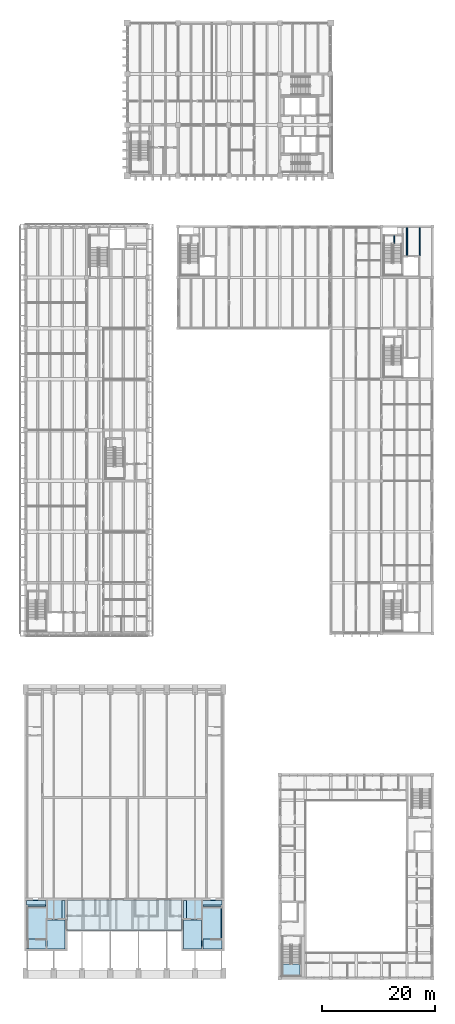
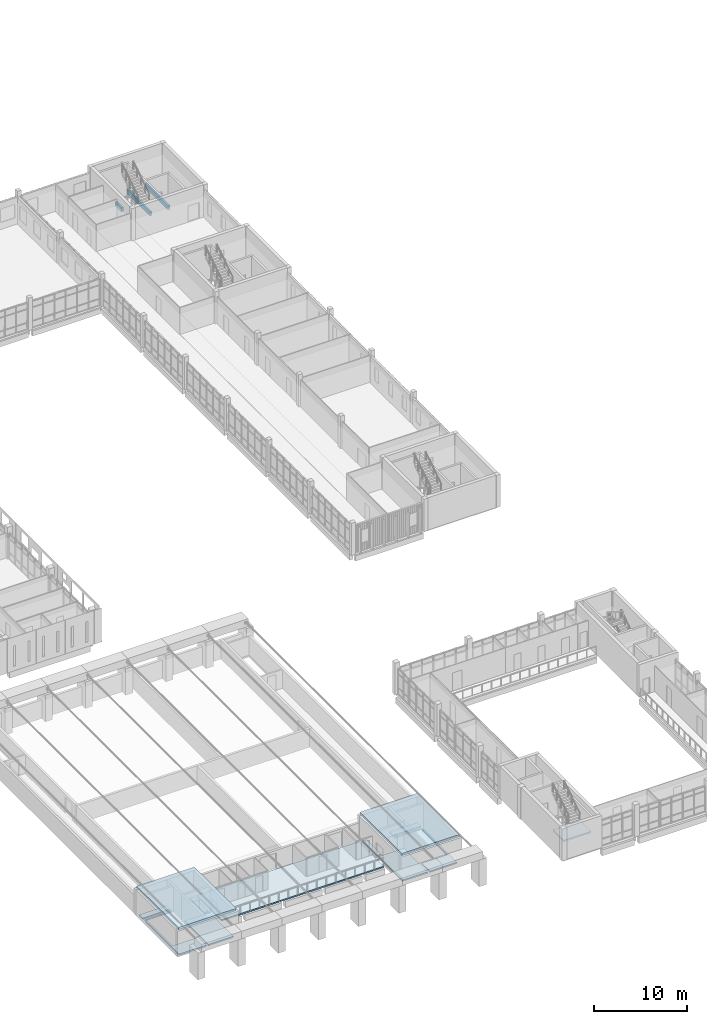
# One storey, part 34 of 92: 12 slabs, 3 beams, 1 element without a shape of its own.
"""IFC4 building model written with IfcOpenShell, lengths in metres."""

from ifc_helpers import new_model, si_unit, direction, frame, origin, origin_2d, place, context, subcontext, project, spatial, polyline, rectangle, outline, extrude, material, layer, layer_set, material_profile, profile_set, type_object, element, aggregate, save


model = new_model("IFC4")

# Units and contexts
model_context = context("Model", 3, precision=1e-05, world=origin(), true_north=direction((0.0, 1.0)))
body_context = subcontext(model_context, "Body", "Model", "MODEL_VIEW")
ifc_project = project(units=[si_unit("LENGTHUNIT", "METRE"), si_unit("AREAUNIT", "SQUARE_METRE"), si_unit("VOLUMEUNIT", "CUBIC_METRE"), si_unit("PLANEANGLEUNIT", "RADIAN"), si_unit("MASSUNIT", "GRAM", prefix="KILO")], contexts=[model_context])

# Site, building, storey
site_placement = place(None, origin())
site = spatial("IfcSite", under=ifc_project, at=site_placement, CompositionType="ELEMENT")
building_placement = place(site_placement, origin())
building = spatial("IfcBuilding", under=site, at=building_placement, Name="Merrow Basin Faculty of Sciences", CompositionType="ELEMENT")
storey_placement = place(building_placement, frame((0.0, 0.0, 4.5)))
storey = spatial("IfcBuildingStorey", under=building, at=storey_placement, Name="L01", CompositionType="ELEMENT", Elevation=4.5)

# Beams
ifc_material_1 = material(Name="Concrete C40/50", Category="concrete")
ifc_material_profile = material_profile(ifc_material_1, rectangle(XDim=0.25, YDim=0.550048828125, at=origin_2d()))
ifc_profile_set = profile_set([ifc_material_profile], Name="Concrete C40/50")
beam_type = type_object("IfcBeamType", Name="Commons floor joist RC250x550 C40/50", PredefinedType="BEAM", material=ifc_profile_set)
beam_placement = place(storey_placement, frame((65.25, 130.0, -0.52490234375), z_axis=(0.0, 1.0, 0.0), x_axis=(-1.0, 0.0, 0.0)))
element("IfcBeam", 1, at=beam_placement, inside=storey, type_object=beam_type, Name="JC1 L01 105", PredefinedType="BEAM", context=body_context, shape_type="SweptSolid", body=[
    extrude(rectangle(XDim=0.25, YDim=0.550048828125, at=origin_2d()), origin(), (0.0, 0.0, 1.0), 1.39990234375),
])
for number, where, z_axis, x_axis, name in (
    (2, (67.5, 127.85009765625, -0.52490234375), (0.0, 1.0, 0.0), (-1.0, 0.0, 0.0), "JC1 L01 106"),
    (3, (69.75, 127.85009765625, -0.52490234375), (0.0, 1.0, 0.0), (-1.0, 0.0, 0.0), "JC1 L01 107"),
):
    element("IfcBeam", number, at=place(storey_placement, frame(where, z_axis=z_axis, x_axis=x_axis)), inside=storey, type_object=beam_type, Name=name, PredefinedType="BEAM", context=body_context, shape_type="SweptSolid", body=[
        extrude(rectangle(XDim=0.25, YDim=0.550048828125, at=origin_2d()), origin(), (0.0, 0.0, 1.0), 4.949951171875),
    ])

# Slabs
ifc_material_2 = material(Name="Concrete C40/50", Category="concrete")
ifc_layer_1 = layer(ifc_material_2, 0.179931640625)
ifc_layer_set_1 = layer_set([ifc_layer_1], Name="Gallery floor slab 180 Concrete C40/50")
slab_type_1 = type_object("IfcSlabType", Name="Gallery floor slab 180 Concrete C40/50", PredefinedType="FLOOR", material=ifc_layer_set_1)
slab_1_placement = place(storey_placement, frame((0.0, 0.0, -0.179931640625)))
element("IfcSlab", 4, at=slab_1_placement, inside=storey, type_object=slab_type_1, Name="SL4 floor L01 001", PredefinedType="FLOOR", context=body_context, shape_type="SweptSolid", body=[
    extrude(outline(polyline([(27.60009765625, 8.5), (7.39990234375, 8.5), (7.39990234375, 13.800048828125), (7.39990234375, 13.85009765625), (27.60009765625, 13.85009765625), (27.60009765625, 13.800048828125), (27.60009765625, 8.5)])), origin(), (0.0, 0.0, 1.0), 0.179931640625),
])
slab_2_placement = place(storey_placement, frame((0.0, 0.0, -0.179931640625)))
element("IfcSlab", 5, at=slab_2_placement, inside=storey, type_object=slab_type_1, Name="SL4 floor L01 004", PredefinedType="FLOOR", context=body_context, shape_type="SweptSolid", body=[
    extrude(outline(polyline([(31.14990234375, 10.35009765625), (31.14990234375, 5.199951171875), (28.0, 5.199951171875), (28.0, 10.35009765625), (31.14990234375, 10.35009765625)])), origin(), (0.0, 0.0, 1.0), 0.179931640625),
])
slab_3_placement = place(storey_placement, frame((0.0, 0.0, -0.179931640625)))
element("IfcSlab", 6, at=slab_3_placement, inside=storey, type_object=slab_type_1, Name="SL4 floor L01 005", PredefinedType="FLOOR", context=body_context, shape_type="SweptSolid", body=[
    extrude(outline(polyline([(3.85009765625, 5.199951171875), (3.85009765625, 10.35009765625), (7.0, 10.35009765625), (7.0, 5.199951171875), (3.85009765625, 5.199951171875)])), origin(), (0.0, 0.0, 1.0), 0.179931640625),
])
slab_4_placement = place(storey_placement, frame((0.0, 0.0, -0.179931640625)))
element("IfcSlab", 7, at=slab_4_placement, inside=storey, type_object=slab_type_1, Name="SL4 floor L01 006", PredefinedType="FLOOR", context=body_context, shape_type="SweptSolid", body=[
    extrude(outline(polyline([(3.60009765625, 6.949951171875), (3.60009765625, 5.199951171875), (0.199951171875, 5.199951171875), (0.199951171875, 12.39990234375), (0.39990234375, 12.39990234375), (0.39990234375, 6.949951171875), (3.60009765625, 6.949951171875)])), origin(), (0.0, 0.0, 1.0), 0.179931640625),
])
slab_5_placement = place(storey_placement, frame((0.0, 0.0, -0.179931640625)))
element("IfcSlab", 8, at=slab_5_placement, inside=storey, type_object=slab_type_1, Name="SL4 floor L01 007", PredefinedType="FLOOR", context=body_context, shape_type="SweptSolid", body=[
    extrude(outline(polyline([(34.60009765625, 12.39990234375), (34.800048828125, 12.39990234375), (34.800048828125, 5.199951171875), (31.39990234375, 5.199951171875), (31.39990234375, 6.949951171875), (34.60009765625, 6.949951171875), (34.60009765625, 12.39990234375)])), origin(), (0.0, 0.0, 1.0), 0.179931640625),
])
slab_6_placement = place(storey_placement, frame((0.0, 0.0, -0.179931640625)))
element("IfcSlab", 9, at=slab_6_placement, inside=storey, type_object=slab_type_1, Name="SL4 floor L01 008", PredefinedType="FLOOR", context=body_context, shape_type="SweptSolid", body=[
    extrude(outline(polyline([(3.574951171875, 13.0), (0.199951171875, 13.0), (0.199951171875, 13.800048828125), (3.64990234375, 13.800048828125), (3.64990234375, 12.64990234375), (0.199951171875, 12.64990234375), (0.199951171875, 12.675048828125), (3.574951171875, 12.675048828125), (3.574951171875, 13.0)])), origin(), (0.0, 0.0, 1.0), 0.179931640625),
])
slab_7_placement = place(storey_placement, frame((0.0, 0.0, -0.179931640625)))
element("IfcSlab", 10, at=slab_7_placement, inside=storey, type_object=slab_type_1, Name="SL4 floor L01 009", PredefinedType="FLOOR", context=body_context, shape_type="SweptSolid", body=[
    extrude(outline(polyline([(34.800048828125, 12.675048828125), (34.800048828125, 12.64990234375), (31.35009765625, 12.64990234375), (31.35009765625, 13.800048828125), (34.800048828125, 13.800048828125), (34.800048828125, 13.0), (31.425048828125, 13.0), (31.425048828125, 12.675048828125), (34.800048828125, 12.675048828125)])), origin(), (0.0, 0.0, 1.0), 0.179931640625),
])
slab_8_placement = place(storey_placement, frame((0.0, 0.0, -0.179931640625)))
element("IfcSlab", 11, at=slab_8_placement, inside=storey, type_object=slab_type_1, Name="SL4 floor L01 010", PredefinedType="FLOOR", context=body_context, shape_type="SweptSolid", body=[
    extrude(outline(polyline([(7.0, 13.800048828125), (7.0, 10.60009765625), (6.5, 10.60009765625), (6.5, 13.800048828125), (7.0, 13.800048828125)])), origin(), (0.0, 0.0, 1.0), 0.179931640625),
])
slab_9_placement = place(storey_placement, frame((0.0, 0.0, -0.179931640625)))
element("IfcSlab", 12, at=slab_9_placement, inside=storey, type_object=slab_type_1, Name="SL4 floor L01 011", PredefinedType="FLOOR", context=body_context, shape_type="SweptSolid", body=[
    extrude(outline(polyline([(28.0, 10.60009765625), (28.0, 13.800048828125), (28.5, 13.800048828125), (28.5, 10.60009765625), (28.0, 10.60009765625)])), origin(), (0.0, 0.0, 1.0), 0.179931640625),
])
ifc_material_3 = material(Name="Concrete C40/50", Category="concrete")
ifc_layer_2 = layer(ifc_material_3, 0.300048828125)
ifc_layer_set_2 = layer_set([ifc_layer_2], Name="Roof slab 300 Concrete C40/50")
slab_type_2 = type_object("IfcSlabType", Name="Roof slab 300 Concrete C40/50", PredefinedType="ROOF", material=ifc_layer_set_2)
slab_10_placement = place(storey_placement, frame((0.0, 0.0, 3.39990234375)))
element("IfcSlab", 13, at=slab_10_placement, inside=storey, type_object=slab_type_2, Name="SL6 core roof L01 013", PredefinedType="ROOF", context=body_context, shape_type="SweptSolid", body=[
    extrude(outline(polyline([(0.0, 14.0), (7.199951171875, 14.0), (7.199951171875, 5.0), (0.0, 5.0), (0.0, 14.0)])), origin(), (0.0, 0.0, 1.0), 0.300048828125),
])
slab_11_placement = place(storey_placement, frame((0.0, 0.0, 3.39990234375)))
element("IfcSlab", 14, at=slab_11_placement, inside=storey, type_object=slab_type_2, Name="SL6 core roof L01 014", PredefinedType="ROOF", context=body_context, shape_type="SweptSolid", body=[
    extrude(outline(polyline([(27.800048828125, 14.0), (35.0, 14.0), (35.0, 5.0), (27.800048828125, 5.0), (27.800048828125, 14.0)])), origin(), (0.0, 0.0, 1.0), 0.300048828125),
])

# Stair, slab
ifc_material_4 = material(Name="Concrete C40/50", Category="concrete")
stair_type = type_object("IfcStairType", Name="Concrete dog-leg stair Concrete C40/50", PredefinedType="HALF_TURN_STAIR", material=ifc_material_4)
stair_placement = place(storey_placement, origin())
stair = element("IfcStair", 15, at=stair_placement, inside=storey, type_object=stair_type, Name="L01 Exit stair W", PredefinedType="HALF_TURN_STAIR")
ifc_material_5 = material(Name="Concrete C40/50", Category="concrete")
ifc_layer_3 = layer(ifc_material_5, 0.199951171875)
ifc_layer_set_3 = layer_set([ifc_layer_3], Name="Stair landing 200 Concrete C40/50")
slab_type_3 = type_object("IfcSlabType", Name="Stair landing 200 Concrete C40/50", PredefinedType="LANDING", material=ifc_layer_set_3)
slab_12_placement = place(storey_placement, frame((0.0, 0.0, 2.050048828125)))
slab_12 = element("IfcSlab", 16, at=slab_12_placement, type_object=slab_type_3, Name="ST-V3-W landing 1", PredefinedType="LANDING", context=body_context, shape_type="SweptSolid", body=[
    extrude(outline(polyline([(45.199951171875, 0.199951171875), (48.60009765625, 0.199951171875), (48.60009765625, 2.5400390625), (45.199951171875, 2.5400390625), (45.199951171875, 0.199951171875)])), origin(), (0.0, 0.0, 1.0), 0.199951171875),
])
aggregate(stair, [slab_12])

save(model, "model.ifc")
